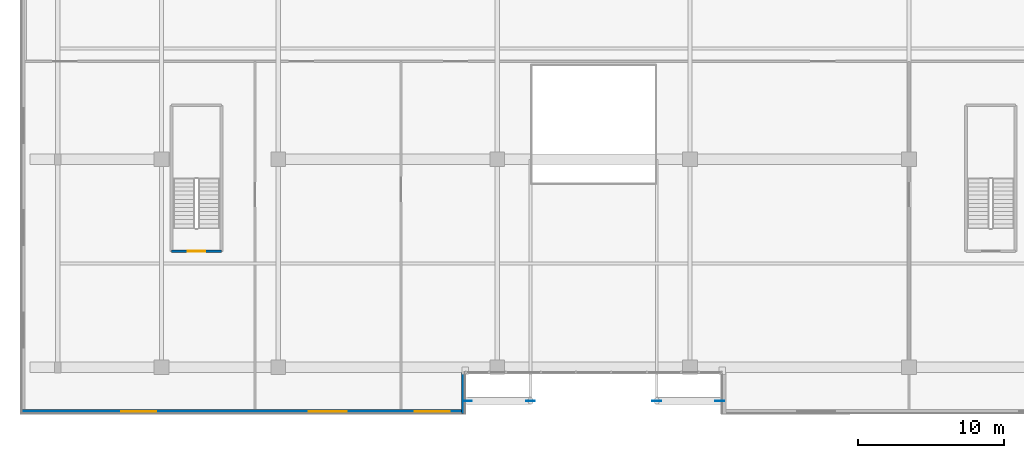
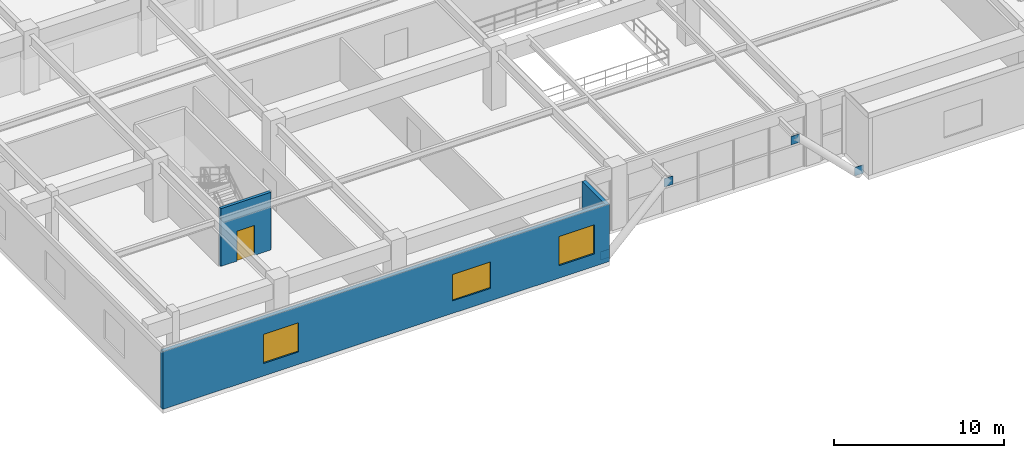
# One storey, part 12 of 21: 4 plates, 3 walls, 3 windows, 1 door, 4 openings.
"""IFC4 building model written with IfcOpenShell, lengths in metres."""

from ifc_helpers import new_model, si_unit, direction, frame, frame_2d, origin, origin_2d, place, context, subcontext, project, spatial, rectangle, extrude, source, transform, mapped, material, layer, layer_set, type_object, element, fill, save


model = new_model("IFC4")

# Units and contexts
model_context = context("Model", 3, precision=1e-05, world=origin(), true_north=direction((0.0, 1.0)))
body_context = subcontext(model_context, "Body", "Model", "MODEL_VIEW")
ifc_project = project(units=[si_unit("LENGTHUNIT", "METRE"), si_unit("AREAUNIT", "SQUARE_METRE"), si_unit("VOLUMEUNIT", "CUBIC_METRE"), si_unit("PLANEANGLEUNIT", "RADIAN"), si_unit("MASSUNIT", "GRAM", prefix="KILO")], contexts=[model_context])

# Site, building, storey
site_placement = place(None, origin())
site = spatial("IfcSite", under=ifc_project, at=site_placement, CompositionType="ELEMENT")
building_placement = place(site_placement, origin())
building = spatial("IfcBuilding", under=site, at=building_placement, Name="Trelvane Seafront Commons", CompositionType="ELEMENT")
storey_placement = place(building_placement, frame((0.0, 0.0, 14.199951171875)))
storey = spatial("IfcBuildingStorey", under=building, at=storey_placement, Name="L03", CompositionType="ELEMENT", Elevation=14.199951171875)

# Plates
ifc_material_1 = material(Name="Steel SM355 (S355)", Category="steel")
ifc_layer_1 = layer(ifc_material_1, 0.031982421875, Name="STR-PLT-GUS2")
ifc_layer_set_1 = layer_set([ifc_layer_1], Name="Steel SM355 (S355)")
plate_type = type_object("IfcPlateType", Name="STR-PLT-GUS2", PredefinedType="SHEET", material=ifc_layer_set_1)
shared_shape_1 = source(origin(), body_context, "Body", "SweptSolid", [
    extrude(rectangle(XDim=0.60009765625, YDim=0.031982421875, at=origin_2d()), origin(), (0.0, 0.0, 1.0), 0.60009765625),
])
for number, where, z_axis, x_axis, name in (
    (1, (28.56005859375, 1.64990234375, -0.3701171875), (0.0, 0.0, 1.0), (1.0, 0.0, 0.0), "L03 Brace Connection Gusset Plate GP-155"),
    (2, (32.8798828125, 1.64990234375, 3.3701171875), (0.0, 0.0, 1.0), (1.0, 0.0, 0.0), "L03 Brace Connection Gusset Plate GP-156"),
    (3, (45.840087890625, 1.64990234375, -0.3701171875), (0.0, 0.0, 1.0), (1.0, 0.0, 0.0), "L03 Brace Connection Gusset Plate GP-157"),
    (4, (41.52001953125, 1.64990234375, 3.3701171875), (0.0, 0.0, 1.0), (1.0, 0.0, 0.0), "L03 Brace Connection Gusset Plate GP-158"),
):
    element("IfcPlate", number, at=place(storey_placement, frame(where, z_axis=z_axis, x_axis=x_axis)), inside=storey, type_object=plate_type, Name=name, PredefinedType="SHEET", context=body_context, shape_type="MappedRepresentation", body=[
        mapped(shared_shape_1, transform((0.0, 0.0, 0.0), x_axis=(1.0, 0.0, 0.0), y_axis=(0.0, 1.0, 0.0), z_axis=(0.0, 0.0, 1.0), scale=1.0)),
    ])

# Wall
ifc_material_2 = material(Name="Precast concrete C40/50", Category="concrete")
ifc_layer_2 = layer(ifc_material_2, 0.260009765625, Name="ARCH-WALL-EXT260")
ifc_layer_set_2 = layer_set([ifc_layer_2], Name="Precast concrete C40/50")
wall_type_1 = type_object("IfcWallType", Name="ARCH-WALL-EXT260", PredefinedType="SOLIDWALL", material=ifc_layer_set_2)
wall_1_placement = place(storey_placement, frame((28.27001953125, 3.60009765625, 0.0), z_axis=(0.0, 0.0, 1.0), x_axis=(0.0, -1.0, 0.0)))
element("IfcWall", 5, at=wall_1_placement, inside=storey, type_object=wall_type_1, Name="EW-L03-00032", PredefinedType="SOLIDWALL", context=body_context, shape_type="SweptSolid", body=[
    extrude(rectangle(XDim=2.800048828125, YDim=0.260009765625, at=frame_2d((1.39990234375, 0.0))), origin(), (0.0, 0.0, 1.0), 4.150146484375),
])

# Wall, openings, windows
wall_2_placement = place(storey_placement, frame((28.39990234375, 0.929931640625, 0.0), z_axis=(0.0, 0.0, 1.0), x_axis=(-1.0, 0.0, 0.0)))
wall_2 = element("IfcWall", 6, at=wall_2_placement, inside=storey, type_object=wall_type_1, Name="EW-L03-00033", PredefinedType="SOLIDWALL", context=body_context, shape_type="SweptSolid", body=[
    extrude(rectangle(XDim=30.39990234375, YDim=0.260009765625, at=frame_2d((15.199951171875, 0.0))), origin(), (0.0, 0.0, 1.0), 4.150146484375),
])
opening_1_placement = place(wall_2_placement, frame((1.044921875, 0.0, 0.89990234375)))
opening_1 = element("IfcOpeningElement", 7, at=opening_1_placement, cuts=wall_2, Name="Opening W08", PredefinedType="OPENING", context=body_context, shape_type="SweptSolid", body=[
    extrude(rectangle(XDim=2.39990234375, YDim=2.10009765625, at=frame_2d((1.199951171875, 1.050048828125))), frame((0.0, 0.139892578125, 0.0), z_axis=(0.0, -1.0, 0.0), x_axis=(1.0, 0.0, 0.0)), (0.0, 0.0, 1.0), 0.280029296875),
])
opening_2_placement = place(wall_2_placement, frame((8.10009765625, 0.0, 0.89990234375)))
opening_2 = element("IfcOpeningElement", 8, at=opening_2_placement, cuts=wall_2, Name="Opening W04", PredefinedType="OPENING", context=body_context, shape_type="SweptSolid", body=[
    extrude(rectangle(XDim=2.60009765625, YDim=1.89990234375, at=frame_2d((1.300048828125, 0.949951171875))), frame((0.0, 0.139892578125, 0.0), z_axis=(0.0, -1.0, 0.0), x_axis=(1.0, 0.0, 0.0)), (0.0, 0.0, 1.0), 0.280029296875),
])
opening_3_placement = place(wall_2_placement, frame((21.155029296875, 0.0, 0.89990234375)))
opening_3 = element("IfcOpeningElement", 9, at=opening_3_placement, cuts=wall_2, Name="Opening W08", PredefinedType="OPENING", context=body_context, shape_type="SweptSolid", body=[
    extrude(rectangle(XDim=2.39990234375, YDim=2.10009765625, at=frame_2d((1.199951171875, 1.050048828125))), frame((0.0, 0.139892578125, 0.0), z_axis=(0.0, -1.0, 0.0), x_axis=(1.0, 0.0, 0.0)), (0.0, 0.0, 1.0), 0.280029296875),
])
ifc_material_3 = material(Name="Low-E coastal double glazing", Category="glass")
window_type_1 = type_object("IfcWindowType", Name="ARCH-WIN-W08", PartitioningType="SINGLE_PANEL", PredefinedType="WINDOW", material=ifc_material_3)
shared_shape_2 = source(origin(), body_context, "Body", "SweptSolid", [
    extrude(rectangle(XDim=2.39990234375, YDim=2.10009765625, at=frame_2d((1.199951171875, 1.050048828125))), frame((0.0, 0.030029296875, 0.0), z_axis=(0.0, -1.0, 0.0), x_axis=(1.0, 0.0, 0.0)), (0.0, 0.0, 1.0), 0.06005859375),
])
window_1_placement = place(opening_1_placement, origin())
window_1 = element("IfcWindow", 10, at=window_1_placement, inside=storey, type_object=window_type_1, Name="WIN-L03-00048", OverallHeight=2.10009765625, OverallWidth=2.39990234375, PartitioningType="SINGLE_PANEL", PredefinedType="WINDOW", context=body_context, shape_type="MappedRepresentation", body=[
    mapped(shared_shape_2, transform((0.0, 0.0, 0.0), x_axis=(1.0, 0.0, 0.0), y_axis=(0.0, 1.0, 0.0), z_axis=(0.0, 0.0, 1.0), scale=1.0)),
])
fill(opening_1, window_1)
window_2_placement = place(opening_3_placement, origin())
window_2 = element("IfcWindow", 11, at=window_2_placement, inside=storey, type_object=window_type_1, Name="WIN-L03-00050", OverallHeight=2.10009765625, OverallWidth=2.39990234375, PartitioningType="SINGLE_PANEL", PredefinedType="WINDOW", context=body_context, shape_type="MappedRepresentation", body=[
    mapped(shared_shape_2, transform((0.0, 0.0, 0.0), x_axis=(1.0, 0.0, 0.0), y_axis=(0.0, 1.0, 0.0), z_axis=(0.0, 0.0, 1.0), scale=1.0)),
])
fill(opening_3, window_2)
window_type_2 = type_object("IfcWindowType", Name="ARCH-WIN-W04", PartitioningType="SINGLE_PANEL", PredefinedType="WINDOW", material=ifc_material_3)
shared_shape_3 = source(origin(), body_context, "Body", "SweptSolid", [
    extrude(rectangle(XDim=2.60009765625, YDim=1.89990234375, at=frame_2d((1.300048828125, 0.949951171875))), frame((0.0, 0.030029296875, 0.0), z_axis=(0.0, -1.0, 0.0), x_axis=(1.0, 0.0, 0.0)), (0.0, 0.0, 1.0), 0.06005859375),
])
window_3_placement = place(opening_2_placement, origin())
window_3 = element("IfcWindow", 12, at=window_3_placement, inside=storey, type_object=window_type_2, Name="WIN-L03-00049", OverallHeight=1.89990234375, OverallWidth=2.60009765625, PartitioningType="SINGLE_PANEL", PredefinedType="WINDOW", context=body_context, shape_type="MappedRepresentation", body=[
    mapped(shared_shape_3, transform((0.0, 0.0, 0.0), x_axis=(1.0, 0.0, 0.0), y_axis=(0.0, 1.0, 0.0), z_axis=(0.0, 0.0, 1.0), scale=1.0)),
])
fill(opening_2, window_3)

# Wall, opening, door
ifc_material_4 = material(Name="Concrete C50/60", Category="concrete")
ifc_layer_3 = layer(ifc_material_4, 0.199951171875, Name="STR-WALL-STAIR200")
ifc_layer_set_3 = layer_set([ifc_layer_3], Name="Concrete C50/60")
wall_type_2 = type_object("IfcWallType", Name="STR-WALL-STAIR200", PredefinedType="SHEAR", material=ifc_layer_set_3)
wall_3_placement = place(storey_placement, frame((8.300048828125, 11.89990234375, 0.0), z_axis=(0.0, 0.0, 1.0), x_axis=(1.0, 0.0, 0.0)))
wall_3 = element("IfcWall", 13, at=wall_3_placement, inside=storey, type_object=wall_type_2, Name="W-L03-ST3-S-010", PredefinedType="SHEAR", context=body_context, shape_type="SweptSolid", body=[
    extrude(rectangle(XDim=3.39990234375, YDim=0.199951171875, at=frame_2d((1.699951171875, 0.0))), origin(), (0.0, 0.0, 1.0), 4.150146484375),
])
opening_4_placement = place(wall_3_placement, frame((1.10009765625, 0.0, 0.0)))
opening_4 = element("IfcOpeningElement", 14, at=opening_4_placement, cuts=wall_3, Name="Opening ST-D-ST3-L03", PredefinedType="OPENING", context=body_context, shape_type="SweptSolid", body=[
    extrude(rectangle(XDim=1.199951171875, YDim=2.14990234375, at=frame_2d((0.60009765625, 1.074951171875))), frame((0.0, 0.10986328125, 0.0), z_axis=(0.0, -1.0, 0.0), x_axis=(1.0, 0.0, 0.0)), (0.0, 0.0, 1.0), 0.219970703125),
])
ifc_material_5 = material(Name="Powder-coated aluminium frame", Category="aluminium")
door_type = type_object("IfcDoorType", Name="ARCH-DR-FD90-1200", OperationType="NOTDEFINED", PredefinedType="DOOR", material=ifc_material_5)
shared_shape_4 = source(origin(), body_context, "Body", "SweptSolid", [
    extrude(rectangle(XDim=1.199951171875, YDim=2.14990234375, at=frame_2d((0.60009765625, 1.074951171875))), frame((0.0, 0.02490234375, 0.0), z_axis=(0.0, -1.0, 0.0), x_axis=(1.0, 0.0, 0.0)), (0.0, 0.0, 1.0), 0.050048828125),
])
door_placement = place(opening_4_placement, origin())
door = element("IfcDoor", 15, at=door_placement, inside=storey, type_object=door_type, Name="L03 Podium ST3 Fire Door", OperationType="SINGLE_SWING_LEFT", OverallHeight=2.14990234375, OverallWidth=1.199951171875, PredefinedType="DOOR", context=body_context, shape_type="MappedRepresentation", body=[
    mapped(shared_shape_4, transform((0.0, 0.0, 0.0), x_axis=(1.0, 0.0, 0.0), y_axis=(0.0, 1.0, 0.0), z_axis=(0.0, 0.0, 1.0), scale=1.0)),
])
fill(opening_4, door)

save(model, "model.ifc")
